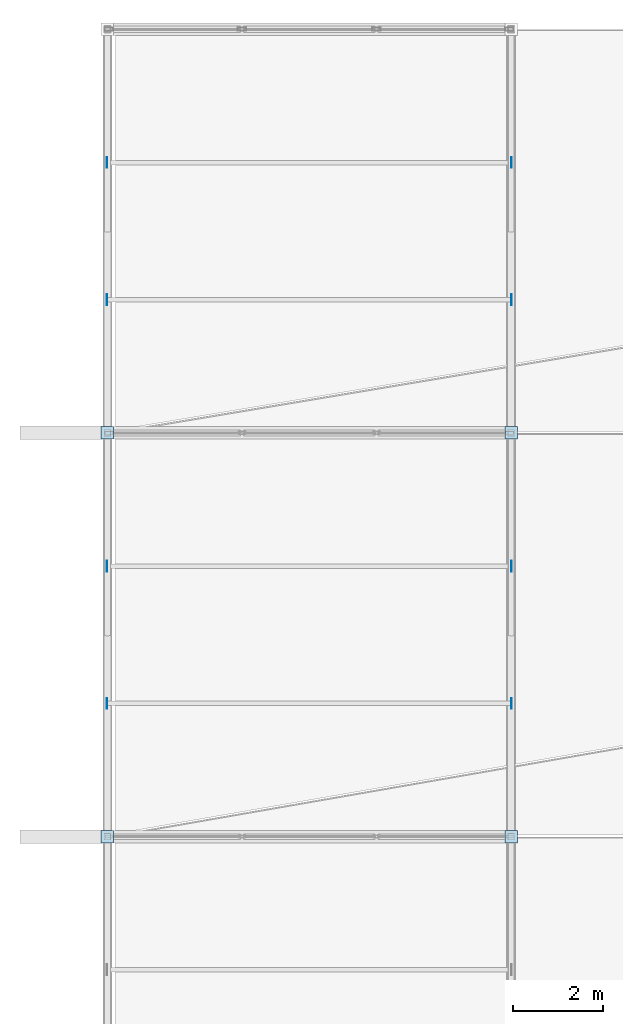
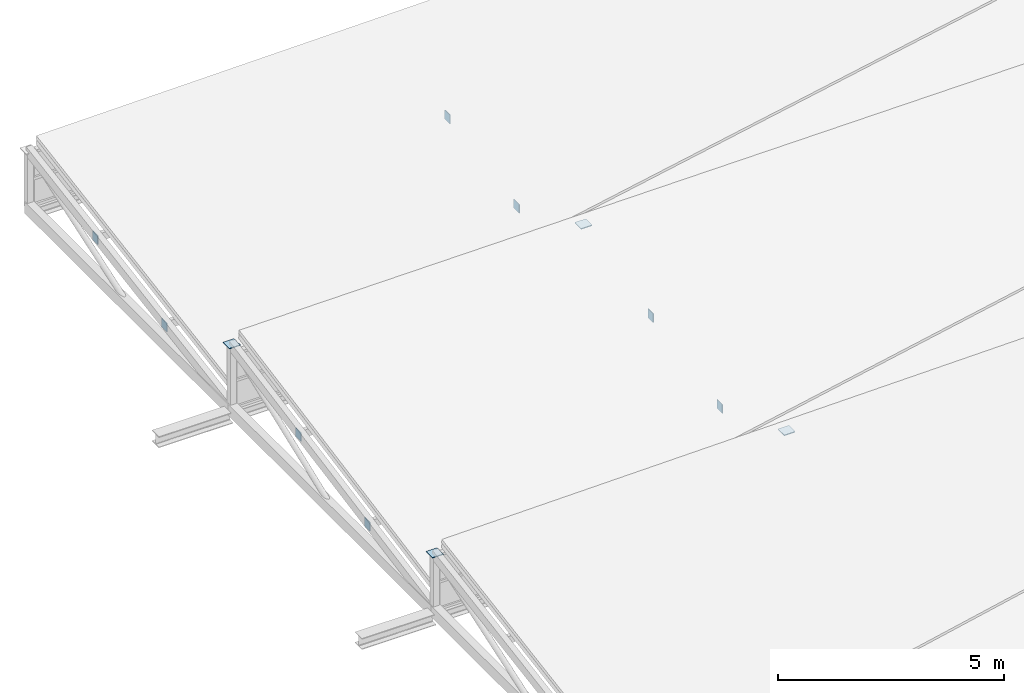
# One storey, part 78 of 103: 12 plates.
"""IFC4 building model written with IfcOpenShell, lengths in metres."""

from ifc_helpers import new_model, si_unit, direction, frame, origin, origin_2d, place, context, subcontext, project, spatial, rectangle, extrude, material, layer, layer_set, type_object, element, save


model = new_model("IFC4")

# Units and contexts
model_context = context("Model", 3, precision=1e-05, world=origin(), true_north=direction((0.0, 1.0)))
body_context = subcontext(model_context, "Body", "Model", "MODEL_VIEW")
ifc_project = project(units=[si_unit("LENGTHUNIT", "METRE"), si_unit("AREAUNIT", "SQUARE_METRE"), si_unit("VOLUMEUNIT", "CUBIC_METRE"), si_unit("PLANEANGLEUNIT", "RADIAN"), si_unit("MASSUNIT", "GRAM", prefix="KILO")], contexts=[model_context])

# Site, building, storey
site_placement = place(None, origin())
site = spatial("IfcSite", under=ifc_project, at=site_placement, CompositionType="ELEMENT")
building_placement = place(site_placement, origin())
building = spatial("IfcBuilding", under=site, at=building_placement, Name="Deido Ridge Mobility Hub", CompositionType="ELEMENT")
storey_placement = place(building_placement, frame((0.0, 0.0, 12.60009765625)))
storey = spatial("IfcBuildingStorey", under=building, at=storey_placement, Name="L03", CompositionType="ELEMENT", Elevation=12.60009765625)

# Plates
ifc_material = material(Name="Steel S355J2 EN 10025-2", Category="steel")
ifc_layer_1 = layer(ifc_material, 0.01611328125, Name="Steel S355J2 EN 10025-2")
ifc_layer_set_1 = layer_set([ifc_layer_1], Name="Steel S355J2 EN 10025-2")
plate_type_1 = type_object("IfcPlateType", Name="PLT-CAP-16", PredefinedType="USERDEFINED", material=ifc_layer_set_1)
for number, where, z_axis, x_axis, name in (
    (1, (-0.008056640625, 65.969970703125, 0.404296875), (0.0, 0.0, 1.0), (1.0, 0.0, 0.0), "Hollow member sealed end-cap plate EC1-212"),
    (2, (9.008056640625, 65.969970703125, 0.43408203125), (0.0, 0.0, 1.0), (1.0, 0.0, 0.0), "Hollow member sealed end-cap plate EC1-213"),
    (3, (-0.008056640625, 69.030029296875, 0.9755859375), (0.0, 0.0, 1.0), (1.0, 0.0, 0.0), "Hollow member sealed end-cap plate EC1-216"),
    (4, (9.008056640625, 69.030029296875, 1.03564453125), (0.0, 0.0, 1.0), (1.0, 0.0, 0.0), "Hollow member sealed end-cap plate EC1-217"),
    (5, (-0.008056640625, 74.969970703125, 0.33837890625), (0.0, 0.0, 1.0), (1.0, 0.0, 0.0), "Hollow member sealed end-cap plate EC1-226"),
    (6, (9.008056640625, 74.969970703125, 0.39111328125), (0.0, 0.0, 1.0), (1.0, 0.0, 0.0), "Hollow member sealed end-cap plate EC1-227"),
    (7, (-0.008056640625, 78.030029296875, 0.84130859375), (0.0, 0.0, 1.0), (1.0, 0.0, 0.0), "Hollow member sealed end-cap plate EC1-230"),
    (8, (9.008056640625, 78.030029296875, 0.94873046875), (0.0, 0.0, 1.0), (1.0, 0.0, 0.0), "Hollow member sealed end-cap plate EC1-231"),
):
    element("IfcPlate", number, at=place(storey_placement, frame(where, z_axis=z_axis, x_axis=x_axis)), inside=storey, type_object=plate_type_1, Name=name, ObjectType="END CAP PLATE", PredefinedType="USERDEFINED", context=body_context, shape_type="SweptSolid", body=[
        extrude(rectangle(XDim=0.01611328125, YDim=0.239990234375, at=origin_2d()), origin(), (0.0, 0.0, 1.0), 0.239990234375),
    ])
ifc_layer_2 = layer(ifc_material, 0.02197265625, Name="Steel S355J2 EN 10025-2")
ifc_layer_set_2 = layer_set([ifc_layer_2], Name="Steel S355J2 EN 10025-2")
plate_type_2 = type_object("IfcPlateType", Name="PLT-CAP-22", PredefinedType="USERDEFINED", material=ifc_layer_set_2)
for number, where, z_axis, x_axis, name in (
    (9, (0.0, 63.0, 1.52880859375), (0.0, 0.0, 1.0), (1.0, 0.0, 0.0), "Hollow member sealed end-cap plate EC2-194"),
    (10, (9.0, 63.0, 1.68896484375), (0.0, 0.0, 1.0), (1.0, 0.0, 0.0), "Hollow member sealed end-cap plate EC2-195"),
    (11, (0.0, 72.0, 1.72900390625), (0.0, 0.0, 1.0), (1.0, 0.0, 0.0), "Hollow member sealed end-cap plate EC2-207"),
    (12, (9.0, 72.0, 1.81884765625), (0.0, 0.0, 1.0), (1.0, 0.0, 0.0), "Hollow member sealed end-cap plate EC2-208"),
):
    element("IfcPlate", number, at=place(storey_placement, frame(where, z_axis=z_axis, x_axis=x_axis)), inside=storey, type_object=plate_type_2, Name=name, ObjectType="END CAP PLATE", PredefinedType="USERDEFINED", context=body_context, shape_type="SweptSolid", body=[
        extrude(rectangle(XDim=0.280029296875, YDim=0.280029296875, at=origin_2d()), origin(), (0.0, 0.0, 1.0), 0.02197265625),
    ])

save(model, "model.ifc")
